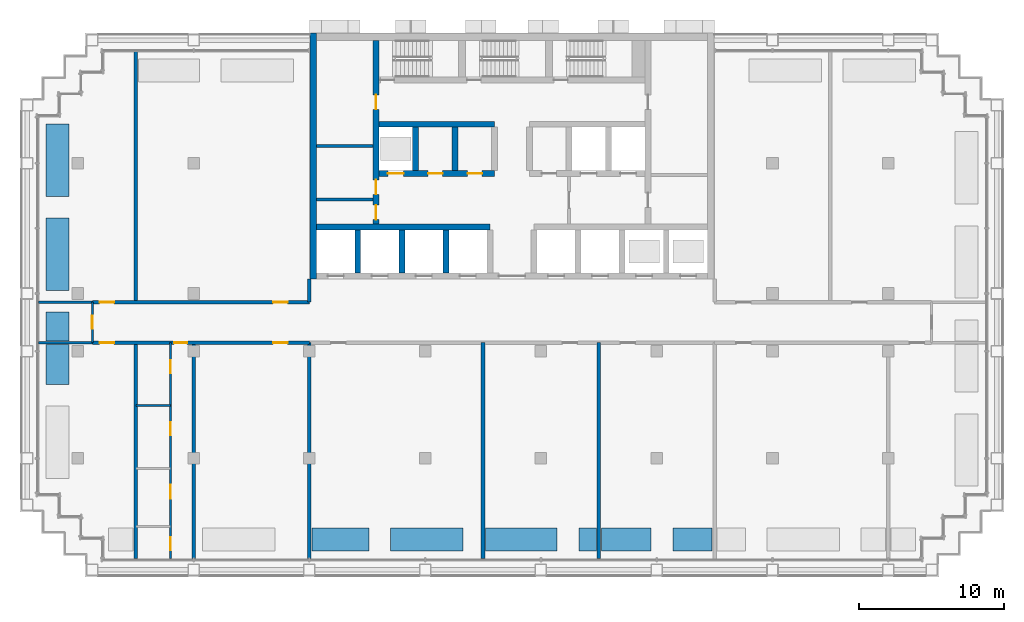
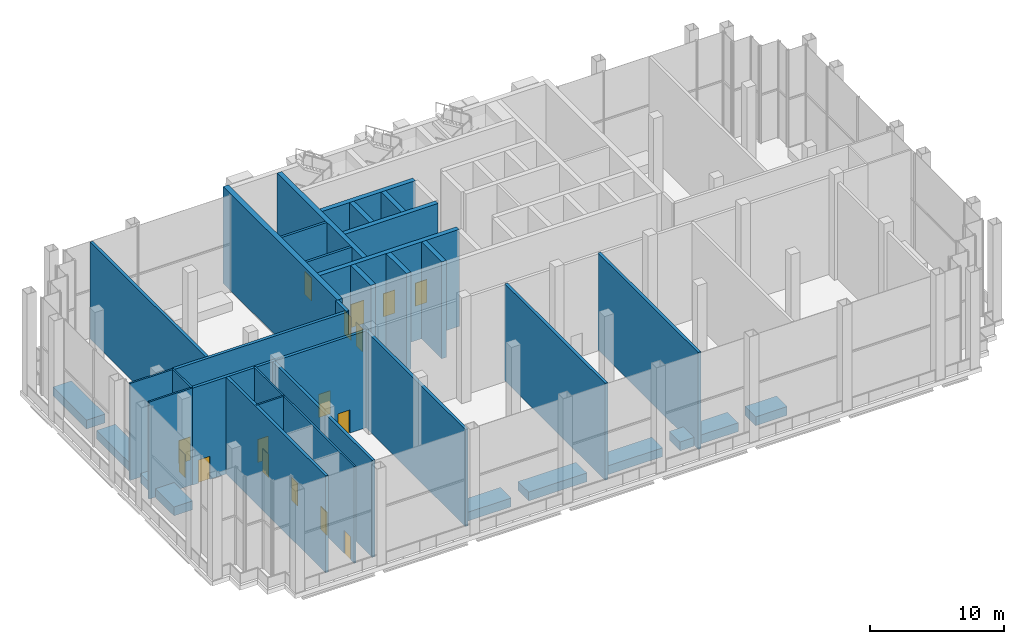
# One storey, part 8 of 16: 36 walls, 16 doors, 16 openings.
"""IFC4 building model written with IfcOpenShell, lengths in metres."""

from ifc_helpers import new_model, si_unit, direction, frame, frame_2d, origin, place, context, subcontext, project, spatial, rectangle, extrude, material, layer, layer_set, type_object, element, fill, save


model = new_model("IFC4")

# Units and contexts
model_context = context("Model", 3, precision=1e-05, world=origin(), true_north=direction((0.0, 1.0)))
body_context = subcontext(model_context, "Body", "Model", "MODEL_VIEW")
ifc_project = project(units=[si_unit("LENGTHUNIT", "METRE"), si_unit("AREAUNIT", "SQUARE_METRE"), si_unit("VOLUMEUNIT", "CUBIC_METRE"), si_unit("PLANEANGLEUNIT", "RADIAN"), si_unit("MASSUNIT", "GRAM", prefix="KILO")], contexts=[model_context])

# Site, building, storey
site_placement = place(None, origin())
site = spatial("IfcSite", under=ifc_project, at=site_placement, CompositionType="ELEMENT")
building_placement = place(site_placement, origin())
building = spatial("IfcBuilding", under=site, at=building_placement, Name="Vidyagriha Tower", CompositionType="ELEMENT")
storey_placement = place(building_placement, frame((0.0, 0.0, 151.800048828125)))
storey = spatial("IfcBuildingStorey", under=building, at=storey_placement, Name="L40", CompositionType="ELEMENT", Elevation=151.800048828125)

# Walls
ifc_material_1 = material(Name="Precast concrete C40/50 with brick facing", Category="concrete")
ifc_layer_1 = layer(ifc_material_1, 1.60009765625)
ifc_layer_set_1 = layer_set([ifc_layer_1], Name="Precast concrete C40/50 with brick facing")
wall_type_1 = type_object("IfcWallType", Name="Brick planter box 1600", PredefinedType="STANDARD", material=ifc_layer_set_1)
for number, where, z_axis, x_axis, name in (
    (1, (-31.39990234375, 13.719970703125, 0.0), (0.0, 0.0, 1.0), (0.0, -1.0, 0.0), "PLANTER L40 5"),
    (2, (-31.39990234375, 7.219970703125, 0.0), (0.0, 0.0, 1.0), (0.0, -1.0, 0.0), "PLANTER L40 6"),
):
    element("IfcWall", number, at=place(storey_placement, frame(where, z_axis=z_axis, x_axis=x_axis)), inside=storey, type_object=wall_type_1, Name=name, PredefinedType="STANDARD", context=body_context, shape_type="SweptSolid", body=[
        extrude(rectangle(XDim=5.0, YDim=1.60009765625, at=frame_2d((2.5, 0.0))), origin(), (0.0, 0.0, 1.0), 0.800048828125),
    ])
wall_1_placement = place(storey_placement, frame((-8.3798828125, -15.0, 0.0)))
element("IfcWall", 3, at=wall_1_placement, inside=storey, type_object=wall_type_1, Name="PLANTER L40 12", PredefinedType="STANDARD", context=body_context, shape_type="SweptSolid", body=[
    extrude(rectangle(XDim=5.0, YDim=1.60009765625, at=frame_2d((2.5, 0.0))), origin(), (0.0, 0.0, 1.0), 0.800048828125),
])
wall_2_placement = place(storey_placement, frame((-31.39990234375, 0.719970703125, 0.0), z_axis=(0.0, 0.0, 1.0), x_axis=(0.0, -1.0, 0.0)))
element("IfcWall", 4, at=wall_2_placement, inside=storey, type_object=wall_type_1, Name="PLANTER L40 7", PredefinedType="STANDARD", context=body_context, shape_type="SweptSolid", body=[
    extrude(rectangle(XDim=1.994873046875, YDim=1.60009765625, at=frame_2d((0.99755859375, 0.0))), origin(), (0.0, 0.0, 1.0), 0.800048828125),
])
wall_3_placement = place(storey_placement, frame((-31.39990234375, -1.52490234375, 0.0), z_axis=(0.0, 0.0, 1.0), x_axis=(0.0, -1.0, 0.0)))
element("IfcWall", 5, at=wall_3_placement, inside=storey, type_object=wall_type_1, Name="PLANTER L40 7", PredefinedType="STANDARD", context=body_context, shape_type="SweptSolid", body=[
    extrude(rectangle(XDim=2.755126953125, YDim=1.60009765625, at=frame_2d((1.37744140625, 0.0))), origin(), (0.0, 0.0, 1.0), 0.800048828125),
])
wall_4_placement = place(storey_placement, frame((-13.824951171875, -15.0, 0.0)))
element("IfcWall", 6, at=wall_4_placement, inside=storey, type_object=wall_type_1, Name="PLANTER L40 11", PredefinedType="STANDARD", context=body_context, shape_type="SweptSolid", body=[
    extrude(rectangle(XDim=3.945068359375, YDim=1.60009765625, at=frame_2d((1.97265625, 0.0))), origin(), (0.0, 0.0, 1.0), 0.800048828125),
])
wall_5_placement = place(storey_placement, frame((-1.824951171875, -15.0, 0.0)))
element("IfcWall", 7, at=wall_5_placement, inside=storey, type_object=wall_type_1, Name="PLANTER L40 13", PredefinedType="STANDARD", context=body_context, shape_type="SweptSolid", body=[
    extrude(rectangle(XDim=4.945068359375, YDim=1.60009765625, at=frame_2d((2.47265625, 0.0))), origin(), (0.0, 0.0, 1.0), 0.800048828125),
])
wall_6_placement = place(storey_placement, frame((4.6201171875, -15.0, 0.0)))
element("IfcWall", 8, at=wall_6_placement, inside=storey, type_object=wall_type_1, Name="PLANTER L40 14", PredefinedType="STANDARD", context=body_context, shape_type="SweptSolid", body=[
    extrude(rectangle(XDim=1.204833984375, YDim=1.60009765625, at=frame_2d((0.6025390625, 0.0))), origin(), (0.0, 0.0, 1.0), 0.800048828125),
])
wall_7_placement = place(storey_placement, frame((6.175048828125, -15.0, 0.0)))
element("IfcWall", 9, at=wall_7_placement, inside=storey, type_object=wall_type_1, Name="PLANTER L40 14", PredefinedType="STANDARD", context=body_context, shape_type="SweptSolid", body=[
    extrude(rectangle(XDim=3.445068359375, YDim=1.60009765625, at=frame_2d((1.72265625, 0.0))), origin(), (0.0, 0.0, 1.0), 0.800048828125),
])
wall_8_placement = place(storey_placement, frame((11.1201171875, -15.0, 0.0)))
element("IfcWall", 10, at=wall_8_placement, inside=storey, type_object=wall_type_1, Name="PLANTER L40 15", PredefinedType="STANDARD", context=body_context, shape_type="SweptSolid", body=[
    extrude(rectangle(XDim=2.704833984375, YDim=1.60009765625, at=frame_2d((1.3525390625, 0.0))), origin(), (0.0, 0.0, 1.0), 0.800048828125),
])

# Wall, openings, doors
ifc_material_2 = material(Name="Concrete C60/75", Category="concrete")
ifc_layer_2 = layer(ifc_material_2, 0.39990234375)
ifc_layer_set_2 = layer_set([ifc_layer_2], Name="Concrete C60/75")
wall_type_2 = type_object("IfcWallType", Name="Core shear wall 400 mm", PredefinedType="SHEAR", material=ifc_layer_set_2)
wall_9_placement = place(storey_placement, frame((-9.39990234375, 6.800048828125, 0.0), z_axis=(0.0, 0.0, 1.0), x_axis=(0.0, 1.0, 0.0)))
wall_9 = element("IfcWall", 11, at=wall_9_placement, inside=storey, type_object=wall_type_2, Name="Core west spine wall", PredefinedType="SHEAR", context=body_context, shape_type="SweptSolid", body=[
    extrude(rectangle(XDim=12.699951171875, YDim=0.39990234375, at=frame_2d((6.35009765625, 0.0))), origin(), (0.0, 0.0, 1.0), 8.800048828125),
])
opening_1_placement = place(wall_9_placement, frame((0.300048828125, 0.0, 0.0)))
opening_1 = element("IfcOpeningElement", 12, at=opening_1_placement, cuts=wall_9, Name="Opening D40-09", PredefinedType="OPENING", context=body_context, shape_type="SweptSolid", body=[
    extrude(rectangle(XDim=1.0, YDim=2.10009765625, at=frame_2d((0.5, 1.050048828125))), frame((0.0, 0.2099609375, 0.0), z_axis=(0.0, -1.0, 0.0), x_axis=(1.0, 0.0, 0.0)), (0.0, 0.0, 1.0), 0.419921875),
])
opening_2_placement = place(wall_9_placement, frame((2.050048828125, 0.0, 0.0)))
opening_2 = element("IfcOpeningElement", 13, at=opening_2_placement, cuts=wall_9, Name="Opening D40-10", PredefinedType="OPENING", context=body_context, shape_type="SweptSolid", body=[
    extrude(rectangle(XDim=1.0, YDim=2.10009765625, at=frame_2d((0.5, 1.050048828125))), frame((0.0, 0.2099609375, 0.0), z_axis=(0.0, -1.0, 0.0), x_axis=(1.0, 0.0, 0.0)), (0.0, 0.0, 1.0), 0.419921875),
])
opening_3_placement = place(wall_9_placement, frame((7.925048828125, 0.0, 0.0)))
opening_3 = element("IfcOpeningElement", 14, at=opening_3_placement, cuts=wall_9, Name="Opening D40-11", PredefinedType="OPENING", context=body_context, shape_type="SweptSolid", body=[
    extrude(rectangle(XDim=1.0, YDim=2.10009765625, at=frame_2d((0.5, 1.050048828125))), frame((0.0, 0.2099609375, 0.0), z_axis=(0.0, -1.0, 0.0), x_axis=(1.0, 0.0, 0.0)), (0.0, 0.0, 1.0), 0.419921875),
])
ifc_material_3 = material(Name="Hollow metal door leaf")
door_type_1 = type_object("IfcDoorType", Name="Core room door 1000 x 2100 mm EI 60", OperationType="NOTDEFINED", PredefinedType="DOOR", material=ifc_material_3)
door_1_placement = place(opening_1_placement, frame((1.0, 0.0, 0.0), z_axis=(0.0, 0.0, 1.0), x_axis=(-1.0, 0.0, 0.0)))
door_1 = element("IfcDoor", 15, at=door_1_placement, inside=storey, type_object=door_type_1, Name="Door Mechanical Riser Room 40.W1", OperationType="SINGLE_SWING_RIGHT", OverallHeight=2.10009765625, OverallWidth=1.0, PredefinedType="DOOR", context=body_context, shape_type="SweptSolid", body=[
    extrude(rectangle(XDim=1.0, YDim=2.10009765625, at=frame_2d((0.5, 1.050048828125))), frame((0.0, 0.02490234375, 0.0), z_axis=(0.0, -1.0, 0.0), x_axis=(1.0, 0.0, 0.0)), (0.0, 0.0, 1.0), 0.050048828125),
])
fill(opening_1, door_1)
door_2_placement = place(opening_2_placement, frame((1.0, 0.0, 0.0), z_axis=(0.0, 0.0, 1.0), x_axis=(-1.0, 0.0, 0.0)))
door_2 = element("IfcDoor", 16, at=door_2_placement, inside=storey, type_object=door_type_1, Name="Door Electrical Room 40.W2", OperationType="SINGLE_SWING_LEFT", OverallHeight=2.10009765625, OverallWidth=1.0, PredefinedType="DOOR", context=body_context, shape_type="SweptSolid", body=[
    extrude(rectangle(XDim=1.0, YDim=2.10009765625, at=frame_2d((0.5, 1.050048828125))), frame((0.0, 0.02490234375, 0.0), z_axis=(0.0, -1.0, 0.0), x_axis=(1.0, 0.0, 0.0)), (0.0, 0.0, 1.0), 0.050048828125),
])
fill(opening_2, door_2)
door_3_placement = place(opening_3_placement, frame((1.0, 0.0, 0.0), z_axis=(0.0, 0.0, 1.0), x_axis=(-1.0, 0.0, 0.0)))
door_3 = element("IfcDoor", 17, at=door_3_placement, inside=storey, type_object=door_type_1, Name="Door Refuse Room 40.W3", OperationType="SINGLE_SWING_LEFT", OverallHeight=2.10009765625, OverallWidth=1.0, PredefinedType="DOOR", context=body_context, shape_type="SweptSolid", body=[
    extrude(rectangle(XDim=1.0, YDim=2.10009765625, at=frame_2d((0.5, 1.050048828125))), frame((0.0, 0.02490234375, 0.0), z_axis=(0.0, -1.0, 0.0), x_axis=(1.0, 0.0, 0.0)), (0.0, 0.0, 1.0), 0.050048828125),
])
fill(opening_3, door_3)

# Walls
wall_10_placement = place(storey_placement, frame((-13.5, 6.60009765625, 0.0)))
element("IfcWall", 18, at=wall_10_placement, inside=storey, type_object=wall_type_2, Name="Core lobby south wall west", PredefinedType="SHEAR", context=body_context, shape_type="SweptSolid", body=[
    extrude(rectangle(XDim=11.977783203125, YDim=0.39990234375, at=frame_2d((5.98876953125, 0.0))), origin(), (0.0, 0.0, 1.0), 8.800048828125),
])
for number, where, z_axis, x_axis, name in (
    (19, (-10.655517578125, 3.39990234375, 0.0), (0.0, 0.0, 1.0), (0.0, 1.0, 0.0), "Core bay wall S1"),
    (20, (-7.611083984375, 3.39990234375, 0.0), (0.0, 0.0, 1.0), (0.0, 1.0, 0.0), "Core bay wall S2"),
    (21, (-4.566650390625, 3.39990234375, 0.0), (0.0, 0.0, 1.0), (0.0, 1.0, 0.0), "Core bay wall S3"),
):
    element("IfcWall", number, at=place(storey_placement, frame(where, z_axis=z_axis, x_axis=x_axis)), inside=storey, type_object=wall_type_2, Name=name, PredefinedType="SHEAR", context=body_context, shape_type="SweptSolid", body=[
        extrude(rectangle(XDim=3.0, YDim=0.39990234375, at=frame_2d((1.5, 0.0))), origin(), (0.0, 0.0, 1.0), 8.800048828125),
    ])

# Wall, openings, doors
wall_11_placement = place(storey_placement, frame((-9.199951171875, 10.300048828125, 0.0)))
wall_11 = element("IfcWall", 22, at=wall_11_placement, inside=storey, type_object=wall_type_2, Name="Core row N front wall", PredefinedType="SHEAR", context=body_context, shape_type="SweptSolid", body=[
    extrude(rectangle(XDim=8.0, YDim=0.39990234375, at=frame_2d((4.0, 0.0))), origin(), (0.0, 0.0, 1.0), 8.800048828125),
])
opening_4_placement = place(wall_11_placement, frame((0.61669921875, 0.0, 0.0)))
opening_4 = element("IfcOpeningElement", 23, at=opening_4_placement, cuts=wall_11, Name="Opening LD40-09", PredefinedType="OPENING", context=body_context, shape_type="SweptSolid", body=[
    extrude(rectangle(XDim=1.10009765625, YDim=2.10009765625, at=frame_2d((0.550048828125, 1.050048828125))), frame((0.0, 0.2099609375, 0.0), z_axis=(0.0, -1.0, 0.0), x_axis=(1.0, 0.0, 0.0)), (0.0, 0.0, 1.0), 0.419921875),
])
opening_5_placement = place(wall_11_placement, frame((3.39990234375, 0.0, 0.0)))
opening_5 = element("IfcOpeningElement", 24, at=opening_5_placement, cuts=wall_11, Name="Opening D40-02", PredefinedType="OPENING", context=body_context, shape_type="SweptSolid", body=[
    extrude(rectangle(XDim=1.0, YDim=2.10009765625, at=frame_2d((0.5, 1.050048828125))), frame((0.0, 0.2099609375, 0.0), z_axis=(0.0, -1.0, 0.0), x_axis=(1.0, 0.0, 0.0)), (0.0, 0.0, 1.0), 0.419921875),
])
opening_6_placement = place(wall_11_placement, frame((6.13330078125, 0.0, 0.0)))
opening_6 = element("IfcOpeningElement", 25, at=opening_6_placement, cuts=wall_11, Name="Opening D40-03", PredefinedType="OPENING", context=body_context, shape_type="SweptSolid", body=[
    extrude(rectangle(XDim=1.0, YDim=2.10009765625, at=frame_2d((0.5, 1.050048828125))), frame((0.0, 0.2099609375, 0.0), z_axis=(0.0, -1.0, 0.0), x_axis=(1.0, 0.0, 0.0)), (0.0, 0.0, 1.0), 0.419921875),
])
door_4_placement = place(opening_5_placement, frame((1.0, 0.0, 0.0), z_axis=(0.0, 0.0, 1.0), x_axis=(-1.0, 0.0, 0.0)))
door_4 = element("IfcDoor", 26, at=door_4_placement, inside=storey, type_object=door_type_1, Name="Door Refuse Room 40.14", OperationType="SINGLE_SWING_RIGHT", OverallHeight=2.10009765625, OverallWidth=1.0, PredefinedType="DOOR", context=body_context, shape_type="SweptSolid", body=[
    extrude(rectangle(XDim=1.0, YDim=2.10009765625, at=frame_2d((0.5, 1.050048828125))), frame((0.0, 0.02490234375, 0.0), z_axis=(0.0, -1.0, 0.0), x_axis=(1.0, 0.0, 0.0)), (0.0, 0.0, 1.0), 0.050048828125),
])
fill(opening_5, door_4)
door_5_placement = place(opening_6_placement, frame((1.0, 0.0, 0.0), z_axis=(0.0, 0.0, 1.0), x_axis=(-1.0, 0.0, 0.0)))
door_5 = element("IfcDoor", 27, at=door_5_placement, inside=storey, type_object=door_type_1, Name="Door Pressurisation Plant Room 40.15", OperationType="SINGLE_SWING_LEFT", OverallHeight=2.10009765625, OverallWidth=1.0, PredefinedType="DOOR", context=body_context, shape_type="SweptSolid", body=[
    extrude(rectangle(XDim=1.0, YDim=2.10009765625, at=frame_2d((0.5, 1.050048828125))), frame((0.0, 0.02490234375, 0.0), z_axis=(0.0, -1.0, 0.0), x_axis=(1.0, 0.0, 0.0)), (0.0, 0.0, 1.0), 0.050048828125),
])
fill(opening_6, door_5)
ifc_material_4 = material(Name="Stainless steel sliding door panel", Category="steel")
door_type_2 = type_object("IfcDoorType", Name="Lift landing door 1100 x 2100 mm EI 90", OperationType="NOTDEFINED", PredefinedType="DOOR", material=ifc_material_4)
door_6_placement = place(opening_4_placement, origin())
door_6 = element("IfcDoor", 28, at=door_6_placement, inside=storey, type_object=door_type_2, Name="Landing door MR3 L40", OperationType="SLIDING_TO_LEFT", OverallHeight=2.10009765625, OverallWidth=1.10009765625, PredefinedType="DOOR", context=body_context, shape_type="SweptSolid", body=[
    extrude(rectangle(XDim=1.10009765625, YDim=2.10009765625, at=frame_2d((0.550048828125, 1.050048828125))), frame((0.0, 0.02490234375, 0.0), z_axis=(0.0, -1.0, 0.0), x_axis=(1.0, 0.0, 0.0)), (0.0, 0.0, 1.0), 0.050048828125),
])
fill(opening_4, door_6)

# Walls
wall_12_placement = place(storey_placement, frame((-9.199951171875, 13.699951171875, 0.0)))
element("IfcWall", 29, at=wall_12_placement, inside=storey, type_object=wall_type_2, Name="Core row N rear wall", PredefinedType="SHEAR", context=body_context, shape_type="SweptSolid", body=[
    extrude(rectangle(XDim=8.0, YDim=0.39990234375, at=frame_2d((4.0, 0.0))), origin(), (0.0, 0.0, 1.0), 8.800048828125),
])
for number, where, z_axis, x_axis, name in (
    (30, (-6.666748046875, 10.5, 0.0), (0.0, 0.0, 1.0), (0.0, 1.0, 0.0), "Core bay wall N1"),
    (31, (-3.933349609375, 10.5, 0.0), (0.0, 0.0, 1.0), (0.0, 1.0, 0.0), "Core bay wall N2"),
):
    element("IfcWall", number, at=place(storey_placement, frame(where, z_axis=z_axis, x_axis=x_axis)), inside=storey, type_object=wall_type_2, Name=name, PredefinedType="SHEAR", context=body_context, shape_type="SweptSolid", body=[
        extrude(rectangle(XDim=3.0, YDim=0.39990234375, at=frame_2d((1.5, 0.0))), origin(), (0.0, 0.0, 1.0), 8.800048828125),
    ])
ifc_material_5 = material(Name="Concrete C60/75", Category="concrete")
ifc_layer_3 = layer(ifc_material_5, 0.449951171875)
ifc_layer_set_3 = layer_set([ifc_layer_3], Name="Concrete C60/75")
wall_type_3 = type_object("IfcWallType", Name="Core shear wall 450 mm", PredefinedType="SHEAR", material=ifc_layer_set_3)
wall_13_placement = place(storey_placement, frame((-13.72509765625, 3.0, 0.0), z_axis=(0.0, 0.0, 1.0), x_axis=(0.0, 1.0, 0.0)))
element("IfcWall", 32, at=wall_13_placement, inside=storey, type_object=wall_type_3, Name="Core west wall", PredefinedType="SHEAR", context=body_context, shape_type="SweptSolid", body=[
    extrude(rectangle(XDim=17.0, YDim=0.449951171875, at=frame_2d((8.5, 0.0))), origin(), (0.0, 0.0, 1.0), 8.800048828125),
])

# Wall, openings, doors
ifc_material_6 = material(Name="Fired clay brick masonry", Category="masonry")
ifc_layer_4 = layer(ifc_material_6, 0.25)
ifc_layer_set_4 = layer_set([ifc_layer_4], Name="Fired clay brick masonry")
wall_type_4 = type_object("IfcWallType", Name="Fired clay brick corridor wall 250", PredefinedType="PARTITIONING", material=ifc_layer_set_4)
wall_14_placement = place(storey_placement, frame((-14.0, -1.39990234375, 0.0), z_axis=(0.0, 0.0, 1.0), x_axis=(-1.0, 0.0, 0.0)))
wall_14 = element("IfcWall", 33, at=wall_14_placement, inside=storey, type_object=wall_type_4, Name="Wall all-L40-w001", PredefinedType="PARTITIONING", context=body_context, shape_type="SweptSolid", body=[
    extrude(rectangle(XDim=15.0, YDim=0.25, at=frame_2d((7.5, 0.0))), origin(), (0.0, 0.0, 1.0), 8.800048828125),
])
opening_7_placement = place(wall_14_placement, frame((1.5, 0.0, 0.0)))
opening_7 = element("IfcOpeningElement", 34, at=opening_7_placement, cuts=wall_14, Name="Opening D40-14", PredefinedType="OPENING", context=body_context, shape_type="SweptSolid", body=[
    extrude(rectangle(XDim=1.0, YDim=2.10009765625, at=frame_2d((0.5, 1.050048828125))), frame((0.0, 0.135009765625, 0.0), z_axis=(0.0, -1.0, 0.0), x_axis=(1.0, 0.0, 0.0)), (0.0, 0.0, 1.0), 0.27001953125),
])
opening_8_placement = place(wall_14_placement, frame((8.449951171875, 0.0, 0.0)))
opening_8 = element("IfcOpeningElement", 35, at=opening_8_placement, cuts=wall_14, Name="Opening D40-19", PredefinedType="OPENING", context=body_context, shape_type="SweptSolid", body=[
    extrude(rectangle(XDim=0.89990234375, YDim=2.10009765625, at=frame_2d((0.449951171875, 1.050048828125))), frame((0.0, 0.135009765625, 0.0), z_axis=(0.0, -1.0, 0.0), x_axis=(1.0, 0.0, 0.0)), (0.0, 0.0, 1.0), 0.27001953125),
])
opening_9_placement = place(wall_14_placement, frame((13.5, 0.0, 0.0)))
opening_9 = element("IfcOpeningElement", 36, at=opening_9_placement, cuts=wall_14, Name="Opening D40-20", PredefinedType="OPENING", context=body_context, shape_type="SweptSolid", body=[
    extrude(rectangle(XDim=1.0, YDim=2.10009765625, at=frame_2d((0.5, 1.050048828125))), frame((0.0, 0.135009765625, 0.0), z_axis=(0.0, -1.0, 0.0), x_axis=(1.0, 0.0, 0.0)), (0.0, 0.0, 1.0), 0.27001953125),
])
ifc_material_7 = material(Name="Fire-rated timber door leaf EI 60", Category="wood")
door_type_3 = type_object("IfcDoorType", Name="Flat entrance fire door 1000x2100", OperationType="NOTDEFINED", PredefinedType="DOOR", material=ifc_material_7)
door_7_placement = place(opening_7_placement, origin())
door_7 = element("IfcDoor", 37, at=door_7_placement, inside=storey, type_object=door_type_3, Name="Door D40-14", OperationType="SINGLE_SWING_LEFT", OverallHeight=2.10009765625, OverallWidth=1.0, PredefinedType="DOOR", context=body_context, shape_type="SweptSolid", body=[
    extrude(rectangle(XDim=1.0, YDim=2.10009765625, at=frame_2d((0.5, 1.050048828125))), frame((0.0, 0.02490234375, 0.0), z_axis=(0.0, -1.0, 0.0), x_axis=(1.0, 0.0, 0.0)), (0.0, 0.0, 1.0), 0.050048828125),
])
fill(opening_7, door_7)
door_8_placement = place(opening_9_placement, origin())
door_8 = element("IfcDoor", 38, at=door_8_placement, inside=storey, type_object=door_type_3, Name="Door D40-20", OperationType="SINGLE_SWING_LEFT", OverallHeight=2.10009765625, OverallWidth=1.0, PredefinedType="DOOR", context=body_context, shape_type="SweptSolid", body=[
    extrude(rectangle(XDim=1.0, YDim=2.10009765625, at=frame_2d((0.5, 1.050048828125))), frame((0.0, 0.02490234375, 0.0), z_axis=(0.0, -1.0, 0.0), x_axis=(1.0, 0.0, 0.0)), (0.0, 0.0, 1.0), 0.050048828125),
])
fill(opening_9, door_8)
ifc_material_8 = material(Name="Fire-rated timber door leaf EI 60", Category="wood")
door_type_4 = type_object("IfcDoorType", Name="Flat entrance fire door 900x2100", OperationType="NOTDEFINED", PredefinedType="DOOR", material=ifc_material_8)
door_9_placement = place(opening_8_placement, origin())
door_9 = element("IfcDoor", 39, at=door_9_placement, inside=storey, type_object=door_type_4, Name="Door D40-19", OperationType="SINGLE_SWING_RIGHT", OverallHeight=2.10009765625, OverallWidth=0.89990234375, PredefinedType="DOOR", context=body_context, shape_type="SweptSolid", body=[
    extrude(rectangle(XDim=0.89990234375, YDim=2.10009765625, at=frame_2d((0.449951171875, 1.050048828125))), frame((0.0, 0.02490234375, 0.0), z_axis=(0.0, -1.0, 0.0), x_axis=(1.0, 0.0, 0.0)), (0.0, 0.0, 1.0), 0.050048828125),
])
fill(opening_8, door_9)

wall_15_placement = place(storey_placement, frame((-29.0, 1.39990234375, 0.0)))
wall_15 = element("IfcWall", 40, at=wall_15_placement, inside=storey, type_object=wall_type_4, Name="Wall all-L40-w019", PredefinedType="PARTITIONING", context=body_context, shape_type="SweptSolid", body=[
    extrude(rectangle(XDim=15.0, YDim=0.25, at=frame_2d((7.5, 0.0))), origin(), (0.0, 0.0, 1.0), 8.800048828125),
])
opening_10_placement = place(wall_15_placement, frame((12.5, 0.0, 0.0)))
opening_10 = element("IfcOpeningElement", 41, at=opening_10_placement, cuts=wall_15, Name="Opening D40-22", PredefinedType="OPENING", context=body_context, shape_type="SweptSolid", body=[
    extrude(rectangle(XDim=1.0, YDim=2.10009765625, at=frame_2d((0.5, 1.050048828125))), frame((0.0, 0.135009765625, 0.0), z_axis=(0.0, -1.0, 0.0), x_axis=(1.0, 0.0, 0.0)), (0.0, 0.0, 1.0), 0.27001953125),
])
opening_11_placement = place(wall_15_placement, frame((0.5, 0.0, 0.0)))
opening_11 = element("IfcOpeningElement", 42, at=opening_11_placement, cuts=wall_15, Name="Opening D40-23", PredefinedType="OPENING", context=body_context, shape_type="SweptSolid", body=[
    extrude(rectangle(XDim=1.0, YDim=2.10009765625, at=frame_2d((0.5, 1.050048828125))), frame((0.0, 0.135009765625, 0.0), z_axis=(0.0, -1.0, 0.0), x_axis=(1.0, 0.0, 0.0)), (0.0, 0.0, 1.0), 0.27001953125),
])
door_10_placement = place(opening_10_placement, origin())
door_10 = element("IfcDoor", 43, at=door_10_placement, inside=storey, type_object=door_type_3, Name="Door D40-22", OperationType="SINGLE_SWING_RIGHT", OverallHeight=2.10009765625, OverallWidth=1.0, PredefinedType="DOOR", context=body_context, shape_type="SweptSolid", body=[
    extrude(rectangle(XDim=1.0, YDim=2.10009765625, at=frame_2d((0.5, 1.050048828125))), frame((0.0, 0.02490234375, 0.0), z_axis=(0.0, -1.0, 0.0), x_axis=(1.0, 0.0, 0.0)), (0.0, 0.0, 1.0), 0.050048828125),
])
fill(opening_10, door_10)
door_11_placement = place(opening_11_placement, origin())
door_11 = element("IfcDoor", 44, at=door_11_placement, inside=storey, type_object=door_type_3, Name="Door D40-23", OperationType="SINGLE_SWING_RIGHT", OverallHeight=2.10009765625, OverallWidth=1.0, PredefinedType="DOOR", context=body_context, shape_type="SweptSolid", body=[
    extrude(rectangle(XDim=1.0, YDim=2.10009765625, at=frame_2d((0.5, 1.050048828125))), frame((0.0, 0.02490234375, 0.0), z_axis=(0.0, -1.0, 0.0), x_axis=(1.0, 0.0, 0.0)), (0.0, 0.0, 1.0), 0.050048828125),
])
fill(opening_11, door_11)

# Walls
wall_16_placement = place(storey_placement, frame((-14.0, 3.0, 0.0), z_axis=(0.0, 0.0, 1.0), x_axis=(0.0, -1.0, 0.0)))
element("IfcWall", 45, at=wall_16_placement, inside=storey, type_object=wall_type_4, Name="Wall all-L40-w043", PredefinedType="PARTITIONING", context=body_context, shape_type="SweptSolid", body=[
    extrude(rectangle(XDim=1.60009765625, YDim=0.25, at=frame_2d((0.800048828125, 0.0))), origin(), (0.0, 0.0, 1.0), 8.800048828125),
])
ifc_material_9 = material(Name="Fired clay brick masonry", Category="masonry")
ifc_layer_5 = layer(ifc_material_9, 0.25)
ifc_layer_set_5 = layer_set([ifc_layer_5], Name="Fired clay brick masonry")
wall_type_5 = type_object("IfcWallType", Name="Fired clay brick demising wall 250", PredefinedType="PARTITIONING", material=ifc_layer_set_5)
for number, where, z_axis, x_axis, name in (
    (46, (-26.0, -1.39990234375, 0.0), (0.0, 0.0, 1.0), (0.0, -1.0, 0.0), "Wall all-L40-w016"),
    (47, (-22.0, -1.39990234375, 0.0), (0.0, 0.0, 1.0), (0.0, -1.0, 0.0), "Wall all-L40-w017"),
    (48, (-14.0, -1.39990234375, 0.0), (0.0, 0.0, 1.0), (0.0, -1.0, 0.0), "Wall all-L40-w018"),
):
    element("IfcWall", number, at=place(storey_placement, frame(where, z_axis=z_axis, x_axis=x_axis)), inside=storey, type_object=wall_type_5, Name=name, PredefinedType="PARTITIONING", context=body_context, shape_type="SweptSolid", body=[
        extrude(rectangle(XDim=14.921142578125, YDim=0.25, at=frame_2d((7.46044921875, 0.0))), origin(), (0.0, 0.0, 1.0), 8.800048828125),
    ])
wall_17_placement = place(storey_placement, frame((-26.0, 18.720947265625, 0.0), z_axis=(0.0, 0.0, 1.0), x_axis=(0.0, -1.0, 0.0)))
element("IfcWall", 49, at=wall_17_placement, inside=storey, type_object=wall_type_5, Name="Wall all-L40-w023", PredefinedType="PARTITIONING", context=body_context, shape_type="SweptSolid", body=[
    extrude(rectangle(XDim=17.321044921875, YDim=0.25, at=frame_2d((8.66064453125, 0.0))), origin(), (0.0, 0.0, 1.0), 8.800048828125),
])
for number, where, z_axis, x_axis, name in (
    (50, (-2.0, -1.39990234375, 0.0), (0.0, 0.0, 1.0), (0.0, -1.0, 0.0), "Wall all-L40-w040"),
    (51, (6.0, -1.39990234375, 0.0), (0.0, 0.0, 1.0), (0.0, -1.0, 0.0), "Wall all-L40-w041"),
):
    element("IfcWall", number, at=place(storey_placement, frame(where, z_axis=z_axis, x_axis=x_axis)), inside=storey, type_object=wall_type_5, Name=name, PredefinedType="PARTITIONING", context=body_context, shape_type="SweptSolid", body=[
        extrude(rectangle(XDim=14.921142578125, YDim=0.25, at=frame_2d((7.46044921875, 0.0))), origin(), (0.0, 0.0, 1.0), 8.800048828125),
    ])
ifc_material_10 = material(Name="Gypsum board partition")
ifc_layer_6 = layer(ifc_material_10, 0.14990234375)
ifc_layer_set_6 = layer_set([ifc_layer_6], Name="Gypsum board partition")
wall_type_6 = type_object("IfcWallType", Name="Gypsum board partition 150", PredefinedType="PARTITIONING", material=ifc_layer_set_6)
wall_18_placement = place(storey_placement, frame((-29.0, -1.39990234375, 0.0), z_axis=(0.0, 0.0, 1.0), x_axis=(-1.0, 0.0, 0.0)))
element("IfcWall", 52, at=wall_18_placement, inside=storey, type_object=wall_type_6, Name="Wall all-L40-w002", PredefinedType="PARTITIONING", context=body_context, shape_type="SweptSolid", body=[
    extrude(rectangle(XDim=3.72998046875, YDim=0.14990234375, at=frame_2d((1.864990234375, 0.0))), origin(), (0.0, 0.0, 1.0), 8.800048828125),
])

# Wall, opening, door
wall_19_placement = place(storey_placement, frame((-29.0, 1.39990234375, 0.0), z_axis=(0.0, 0.0, 1.0), x_axis=(0.0, -1.0, 0.0)))
wall_19 = element("IfcWall", 53, at=wall_19_placement, inside=storey, type_object=wall_type_6, Name="Wall all-L40-w003", PredefinedType="PARTITIONING", context=body_context, shape_type="SweptSolid", body=[
    extrude(rectangle(XDim=2.7998046875, YDim=0.14990234375, at=frame_2d((1.39990234375, 0.0))), origin(), (0.0, 0.0, 1.0), 8.800048828125),
])
opening_12_placement = place(wall_19_placement, frame((0.949951171875, 0.0, 0.0)))
opening_12 = element("IfcOpeningElement", 54, at=opening_12_placement, cuts=wall_19, Name="Opening D40-21", PredefinedType="OPENING", context=body_context, shape_type="SweptSolid", body=[
    extrude(rectangle(XDim=0.89990234375, YDim=2.10009765625, at=frame_2d((0.449951171875, 1.050048828125))), frame((0.0, 0.0849609375, 0.0), z_axis=(0.0, -1.0, 0.0), x_axis=(1.0, 0.0, 0.0)), (0.0, 0.0, 1.0), 0.169921875),
])
ifc_material_11 = material(Name="Timber door leaf", Category="wood")
door_type_5 = type_object("IfcDoorType", Name="Room door 900x2100", OperationType="NOTDEFINED", PredefinedType="DOOR", material=ifc_material_11)
door_12_placement = place(opening_12_placement, origin())
door_12 = element("IfcDoor", 55, at=door_12_placement, inside=storey, type_object=door_type_5, Name="Door D40-21", OperationType="SINGLE_SWING_RIGHT", OverallHeight=2.10009765625, OverallWidth=0.89990234375, PredefinedType="DOOR", context=body_context, shape_type="SweptSolid", body=[
    extrude(rectangle(XDim=0.89990234375, YDim=2.10009765625, at=frame_2d((0.449951171875, 1.050048828125))), frame((0.0, 0.02490234375, 0.0), z_axis=(0.0, -1.0, 0.0), x_axis=(1.0, 0.0, 0.0)), (0.0, 0.0, 1.0), 0.050048828125),
])
fill(opening_12, door_12)

# Walls
wall_20_placement = place(storey_placement, frame((-23.60009765625, -5.75, 0.0), z_axis=(0.0, 0.0, 1.0), x_axis=(-1.0, 0.0, 0.0)))
element("IfcWall", 56, at=wall_20_placement, inside=storey, type_object=wall_type_6, Name="Wall all-L40-w007", PredefinedType="PARTITIONING", context=body_context, shape_type="SweptSolid", body=[
    extrude(rectangle(XDim=2.39990234375, YDim=0.14990234375, at=frame_2d((1.199951171875, 0.0))), origin(), (0.0, 0.0, 1.0), 8.800048828125),
])
wall_21_placement = place(storey_placement, frame((-32.72998046875, 1.39990234375, 0.0)))
element("IfcWall", 57, at=wall_21_placement, inside=storey, type_object=wall_type_6, Name="Wall all-L40-w020", PredefinedType="PARTITIONING", context=body_context, shape_type="SweptSolid", body=[
    extrude(rectangle(XDim=3.72998046875, YDim=0.14990234375, at=frame_2d((1.864990234375, 0.0))), origin(), (0.0, 0.0, 1.0), 8.800048828125),
])

# Wall, openings, doors
ifc_material_12 = material(Name="Moisture resistant gypsum board partition")
ifc_layer_7 = layer(ifc_material_12, 0.14990234375)
ifc_layer_set_7 = layer_set([ifc_layer_7], Name="Moisture resistant gypsum board partition")
wall_type_7 = type_object("IfcWallType", Name="Gypsum board wet-area partition 150", PredefinedType="PARTITIONING", material=ifc_layer_set_7)
wall_22_placement = place(storey_placement, frame((-23.60009765625, -16.321044921875, 0.0), z_axis=(0.0, 0.0, 1.0), x_axis=(0.0, 1.0, 0.0)))
wall_22 = element("IfcWall", 58, at=wall_22_placement, inside=storey, type_object=wall_type_7, Name="Wall all-L40-w005", PredefinedType="PARTITIONING", context=body_context, shape_type="SweptSolid", body=[
    extrude(rectangle(XDim=14.921142578125, YDim=0.14990234375, at=frame_2d((7.46044921875, 0.0))), origin(), (0.0, 0.0, 1.0), 8.800048828125),
])
opening_13_placement = place(wall_22_placement, frame((12.802978515625, 0.0, 0.0)))
opening_13 = element("IfcOpeningElement", 59, at=opening_13_placement, cuts=wall_22, Name="Opening D40-15", PredefinedType="OPENING", context=body_context, shape_type="SweptSolid", body=[
    extrude(rectangle(XDim=0.89990234375, YDim=2.10009765625, at=frame_2d((0.449951171875, 1.050048828125))), frame((0.0, 0.0849609375, 0.0), z_axis=(0.0, -1.0, 0.0), x_axis=(1.0, 0.0, 0.0)), (0.0, 0.0, 1.0), 0.169921875),
])
opening_14_placement = place(wall_22_placement, frame((8.52099609375, 0.0, 0.0)))
opening_14 = element("IfcOpeningElement", 60, at=opening_14_placement, cuts=wall_22, Name="Opening D40-16", PredefinedType="OPENING", context=body_context, shape_type="SweptSolid", body=[
    extrude(rectangle(XDim=0.89990234375, YDim=2.10009765625, at=frame_2d((0.449951171875, 1.050048828125))), frame((0.0, 0.0849609375, 0.0), z_axis=(0.0, -1.0, 0.0), x_axis=(1.0, 0.0, 0.0)), (0.0, 0.0, 1.0), 0.169921875),
])
opening_15_placement = place(wall_22_placement, frame((4.12109375, 0.0, 0.0)))
opening_15 = element("IfcOpeningElement", 61, at=opening_15_placement, cuts=wall_22, Name="Opening D40-17", PredefinedType="OPENING", context=body_context, shape_type="SweptSolid", body=[
    extrude(rectangle(XDim=1.0, YDim=2.10009765625, at=frame_2d((0.5, 1.050048828125))), frame((0.0, 0.0849609375, 0.0), z_axis=(0.0, -1.0, 0.0), x_axis=(1.0, 0.0, 0.0)), (0.0, 0.0, 1.0), 0.169921875),
])
opening_16_placement = place(wall_22_placement, frame((0.571044921875, 0.0, 0.0)))
opening_16 = element("IfcOpeningElement", 62, at=opening_16_placement, cuts=wall_22, Name="Opening D40-18", PredefinedType="OPENING", context=body_context, shape_type="SweptSolid", body=[
    extrude(rectangle(XDim=0.89990234375, YDim=2.10009765625, at=frame_2d((0.449951171875, 1.050048828125))), frame((0.0, 0.0849609375, 0.0), z_axis=(0.0, -1.0, 0.0), x_axis=(1.0, 0.0, 0.0)), (0.0, 0.0, 1.0), 0.169921875),
])
ifc_material_13 = material(Name="Timber door leaf", Category="wood")
door_type_6 = type_object("IfcDoorType", Name="Bathroom door 1000x2100", OperationType="NOTDEFINED", PredefinedType="DOOR", material=ifc_material_13)
door_13_placement = place(opening_15_placement, origin())
door_13 = element("IfcDoor", 63, at=door_13_placement, inside=storey, type_object=door_type_6, Name="Door D40-17", OperationType="SINGLE_SWING_RIGHT", OverallHeight=2.10009765625, OverallWidth=1.0, PredefinedType="DOOR", context=body_context, shape_type="SweptSolid", body=[
    extrude(rectangle(XDim=1.0, YDim=2.10009765625, at=frame_2d((0.5, 1.050048828125))), frame((0.0, 0.02490234375, 0.0), z_axis=(0.0, -1.0, 0.0), x_axis=(1.0, 0.0, 0.0)), (0.0, 0.0, 1.0), 0.050048828125),
])
fill(opening_15, door_13)
ifc_material_14 = material(Name="Timber door leaf", Category="wood")
door_type_7 = type_object("IfcDoorType", Name="Bathroom door 900x2100", OperationType="NOTDEFINED", PredefinedType="DOOR", material=ifc_material_14)
door_14_placement = place(opening_13_placement, origin())
door_14 = element("IfcDoor", 64, at=door_14_placement, inside=storey, type_object=door_type_7, Name="Door D40-15", OperationType="SINGLE_SWING_RIGHT", OverallHeight=2.10009765625, OverallWidth=0.89990234375, PredefinedType="DOOR", context=body_context, shape_type="SweptSolid", body=[
    extrude(rectangle(XDim=0.89990234375, YDim=2.10009765625, at=frame_2d((0.449951171875, 1.050048828125))), frame((0.0, 0.02490234375, 0.0), z_axis=(0.0, -1.0, 0.0), x_axis=(1.0, 0.0, 0.0)), (0.0, 0.0, 1.0), 0.050048828125),
])
fill(opening_13, door_14)
door_15_placement = place(opening_14_placement, origin())
door_15 = element("IfcDoor", 65, at=door_15_placement, inside=storey, type_object=door_type_7, Name="Door D40-16", OperationType="SINGLE_SWING_RIGHT", OverallHeight=2.10009765625, OverallWidth=0.89990234375, PredefinedType="DOOR", context=body_context, shape_type="SweptSolid", body=[
    extrude(rectangle(XDim=0.89990234375, YDim=2.10009765625, at=frame_2d((0.449951171875, 1.050048828125))), frame((0.0, 0.02490234375, 0.0), z_axis=(0.0, -1.0, 0.0), x_axis=(1.0, 0.0, 0.0)), (0.0, 0.0, 1.0), 0.050048828125),
])
fill(opening_14, door_15)
door_16_placement = place(opening_16_placement, origin())
door_16 = element("IfcDoor", 66, at=door_16_placement, inside=storey, type_object=door_type_7, Name="Door D40-18", OperationType="SINGLE_SWING_LEFT", OverallHeight=2.10009765625, OverallWidth=0.89990234375, PredefinedType="DOOR", context=body_context, shape_type="SweptSolid", body=[
    extrude(rectangle(XDim=0.89990234375, YDim=2.10009765625, at=frame_2d((0.449951171875, 1.050048828125))), frame((0.0, 0.02490234375, 0.0), z_axis=(0.0, -1.0, 0.0), x_axis=(1.0, 0.0, 0.0)), (0.0, 0.0, 1.0), 0.050048828125),
])
fill(opening_16, door_16)

# Walls
ifc_material_15 = material(Name="Blockwork 15 MPa", Category="masonry")
ifc_layer_8 = layer(ifc_material_15, 0.199951171875)
ifc_layer_set_8 = layer_set([ifc_layer_8], Name="Blockwork 15 MPa")
wall_type_8 = type_object("IfcWallType", Name="Service room partition 200 mm", PredefinedType="PARTITIONING", material=ifc_layer_set_8)
for number, where, name in (
    (67, (-13.5, 8.5, 0.0), "Core room partition W1"),
    (68, (-13.5, 12.199951171875, 0.0), "Core room partition W2"),
):
    element("IfcWall", number, at=place(storey_placement, frame(where)), inside=storey, type_object=wall_type_8, Name=name, PredefinedType="PARTITIONING", context=body_context, shape_type="SweptSolid", body=[
        extrude(rectangle(XDim=3.89990234375, YDim=0.199951171875, at=frame_2d((1.949951171875, 0.0))), origin(), (0.0, 0.0, 1.0), 8.800048828125),
    ])

save(model, "model.ifc")
